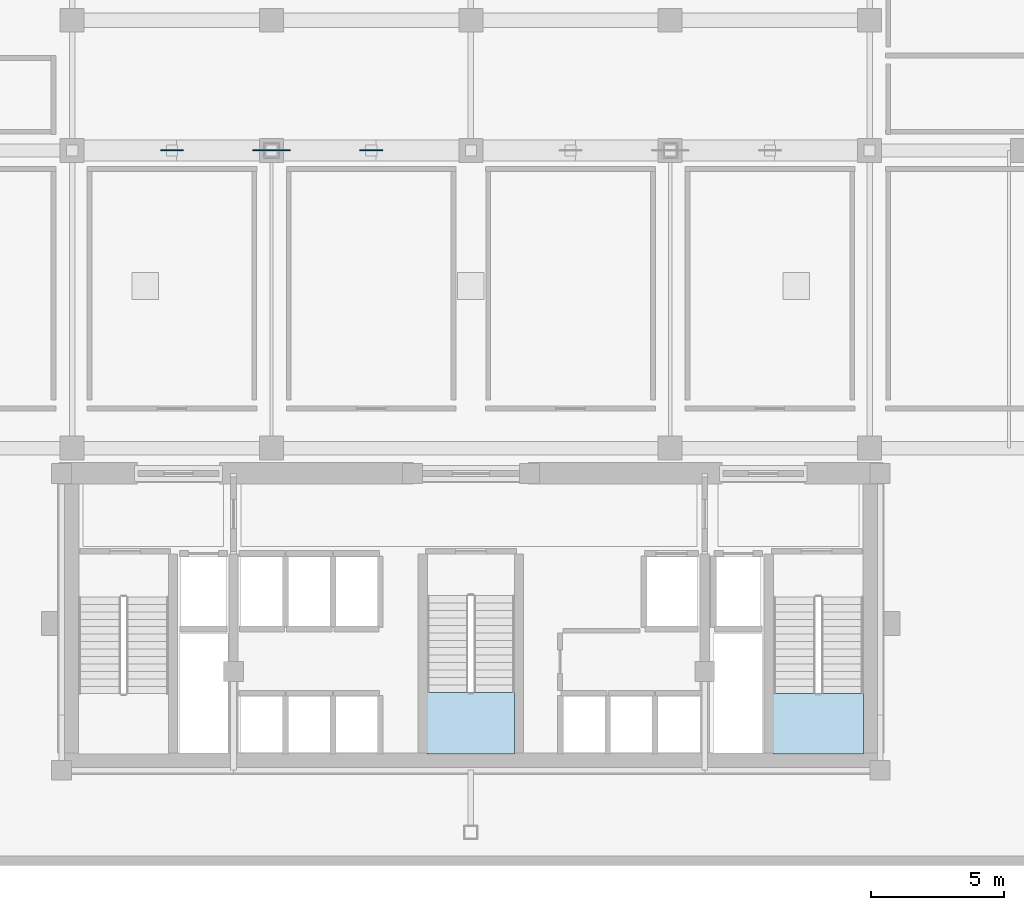
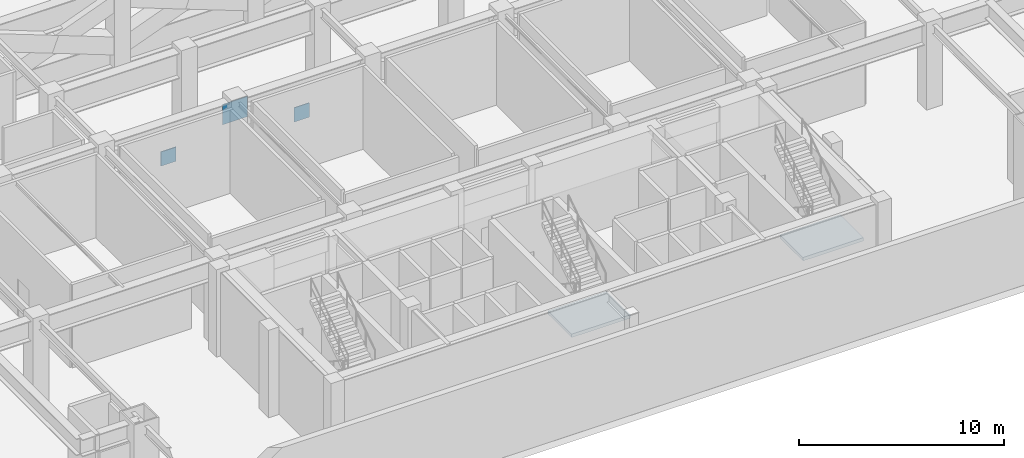
# One storey, part 5 of 14: 3 plates, 2 slabs, 2 elements without a shape of their own.
"""IFC4 building model written with IfcOpenShell, lengths in metres."""

from ifc_helpers import new_model, si_unit, direction, frame, origin, origin_2d, place, context, subcontext, project, spatial, polyline, rectangle, outline, extrude, material, layer, layer_set, type_object, element, aggregate, save


model = new_model("IFC4")

# Units and contexts
model_context = context("Model", 3, precision=1e-05, world=origin(), true_north=direction((0.0, 1.0)))
body_context = subcontext(model_context, "Body", "Model", "MODEL_VIEW")
ifc_project = project(units=[si_unit("LENGTHUNIT", "METRE"), si_unit("AREAUNIT", "SQUARE_METRE"), si_unit("VOLUMEUNIT", "CUBIC_METRE"), si_unit("PLANEANGLEUNIT", "RADIAN"), si_unit("MASSUNIT", "GRAM", prefix="KILO")], contexts=[model_context])

# Site, building, storey
site_placement = place(None, origin())
site = spatial("IfcSite", under=ifc_project, at=site_placement, CompositionType="ELEMENT")
building_placement = place(site_placement, origin())
building = spatial("IfcBuilding", under=site, at=building_placement, Name="Ventersveld Concourse Tower", CompositionType="ELEMENT")
storey_placement = place(building_placement, frame((0.0, 0.0, 24.60009765625)))
storey = spatial("IfcBuildingStorey", under=building, at=storey_placement, Name="L05", CompositionType="ELEMENT", Elevation=24.60009765625)

# Plates
ifc_material_1 = material(Name="Structural steel S355J2", Category="steel")
ifc_layer_1 = layer(ifc_material_1, 0.0400390625)
ifc_layer_set_1 = layer_set([ifc_layer_1], Name="Structural steel S355J2")
plate_type = type_object("IfcPlateType", Name="PL-GUSSET-40", PredefinedType="USERDEFINED", material=ifc_layer_set_1)
for number, where, z_axis, x_axis, name in (
    (1, (17.5, 23.60009765625, 2.349853515625), (0.0, 0.0, 1.0), (1.0, 0.0, 0.0), "L05 Transfer Truss X-Crossing Gusset Plate YD-P1"),
    (2, (25.0, 23.60009765625, 2.349853515625), (0.0, 0.0, 1.0), (1.0, 0.0, 0.0), "L05 Transfer Truss X-Crossing Gusset Plate YD-P2"),
):
    element("IfcPlate", number, at=place(storey_placement, frame(where, z_axis=z_axis, x_axis=x_axis)), inside=storey, type_object=plate_type, Name=name, ObjectType="GUSSET_PLATE", PredefinedType="USERDEFINED", context=body_context, shape_type="SweptSolid", body=[
        extrude(rectangle(XDim=0.85009765625, YDim=0.0400390625, at=origin_2d()), origin(), (0.0, 0.0, 1.0), 0.85009765625),
    ])
plate_placement = place(storey_placement, frame((21.25, 23.60009765625, 3.60009765625), z_axis=(0.0, 0.0, 1.0), x_axis=(1.0, 0.0, 0.0)))
element("IfcPlate", 3, at=plate_placement, inside=storey, type_object=plate_type, Name="L05 Transfer Truss Node Gusset Plate YD-21", ObjectType="GUSSET_PLATE", PredefinedType="USERDEFINED", context=body_context, shape_type="SweptSolid", body=[
    extrude(rectangle(XDim=1.39990234375, YDim=0.0400390625, at=origin_2d()), origin(), (0.0, 0.0, 1.0), 1.199951171875),
])

# Stair, slab
ifc_material_2 = material(Name="Concrete C50/60", Category="concrete")
stair_type_1 = type_object("IfcStairType", Name="ST-DOG-160", PredefinedType="HALF_TURN_STAIR", material=ifc_material_2)
stair_1_placement = place(storey_placement, origin())
stair_1 = element("IfcStair", 4, at=stair_1_placement, inside=storey, type_object=stair_type_1, Name="L05 Protected Tower Escape Stair ST-02", PredefinedType="HALF_TURN_STAIR")
ifc_layer_2 = layer(ifc_material_2, 0.199951171875)
ifc_layer_set_2 = layer_set([ifc_layer_2], Name="Concrete C50/60")
slab_type = type_object("IfcSlabType", Name="SL-LND-200", PredefinedType="LANDING", material=ifc_layer_set_2)
slab_1_placement = place(storey_placement, frame((0.0, 0.0, 2.39990234375)))
slab_1 = element("IfcSlab", 5, at=slab_1_placement, type_object=slab_type, Name="ST-02 landing 1", PredefinedType="LANDING", context=body_context, shape_type="SweptSolid", body=[
    extrude(outline(polyline([(40.1201171875, 3.159912109375), (40.1201171875, 0.89990234375), (43.52001953125, 0.89990234375), (43.52001953125, 3.159912109375), (40.1201171875, 3.159912109375)])), origin(), (0.0, 0.0, 1.0), 0.199951171875),
])
aggregate(stair_1, [slab_1])

stair_type_2 = type_object("IfcStairType", Name="ST-DOG-155", PredefinedType="HALF_TURN_STAIR", material=ifc_material_2)
stair_2_placement = place(storey_placement, origin())
stair_2 = element("IfcStair", 6, at=stair_2_placement, inside=storey, type_object=stair_type_2, Name="L05 Protected Central Core Escape Stair ST-03", PredefinedType="HALF_TURN_STAIR")
slab_2_placement = place(storey_placement, frame((0.0, 0.0, 2.39990234375)))
slab_2 = element("IfcSlab", 7, at=slab_2_placement, type_object=slab_type, Name="ST-03 landing 1", PredefinedType="LANDING", context=body_context, shape_type="SweptSolid", body=[
    extrude(outline(polyline([(27.10009765625, 3.2099609375), (27.10009765625, 0.89990234375), (30.39990234375, 0.89990234375), (30.39990234375, 3.2099609375), (27.10009765625, 3.2099609375)])), origin(), (0.0, 0.0, 1.0), 0.199951171875),
])
aggregate(stair_2, [slab_2])

save(model, "model.ifc")
